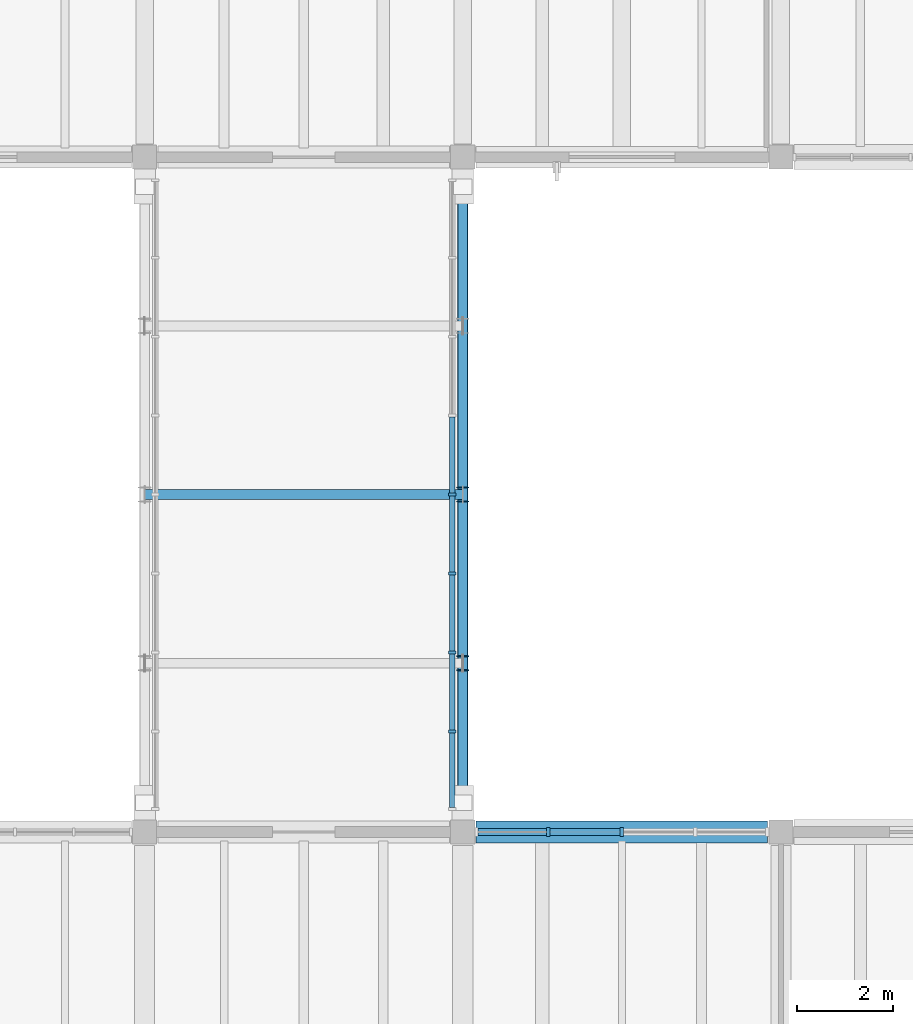
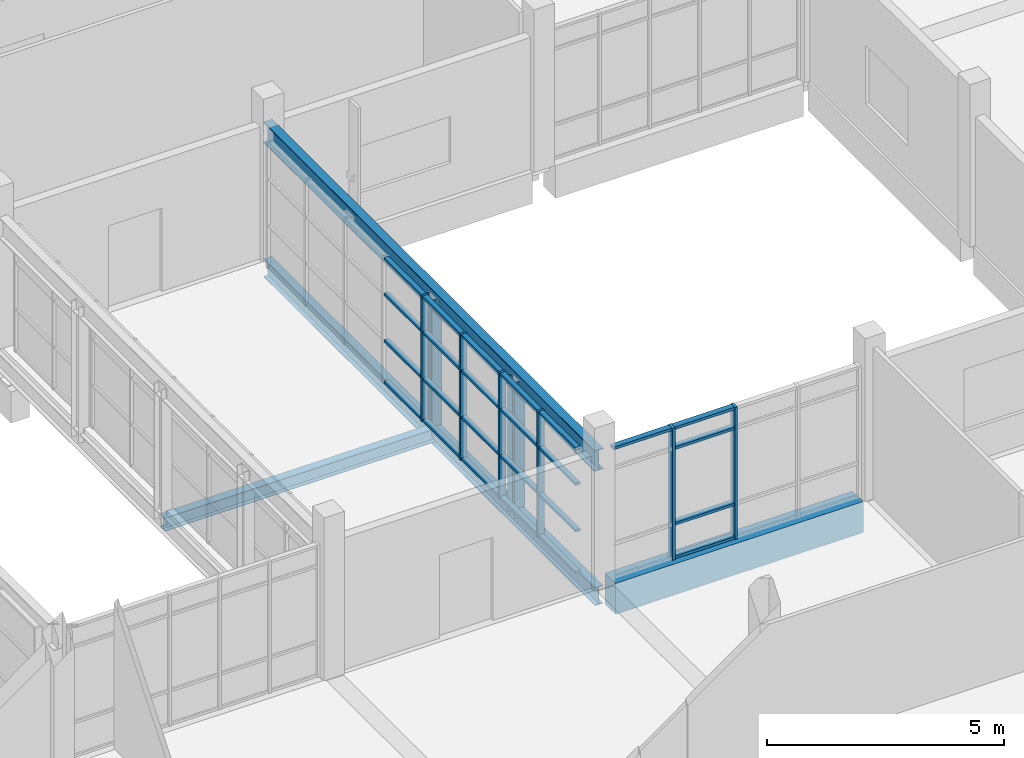
# One storey, part 20 of 65: 35 members, 2 beams, 2 elements without a shape of their own.
"""IFC4 building model written with IfcOpenShell, lengths in metres."""

from ifc_helpers import new_model, si_unit, direction, frame, origin, origin_2d, place, context, subcontext, project, spatial, rectangle, i_section, extrude, material, material_profile, profile_set, type_object, element, aggregate, save


model = new_model("IFC4")

# Units and contexts
model_context = context("Model", 3, precision=1e-05, world=origin(), true_north=direction((0.0, 1.0)))
body_context = subcontext(model_context, "Body", "Model", "MODEL_VIEW")
ifc_project = project(units=[si_unit("LENGTHUNIT", "METRE"), si_unit("AREAUNIT", "SQUARE_METRE"), si_unit("VOLUMEUNIT", "CUBIC_METRE"), si_unit("PLANEANGLEUNIT", "RADIAN"), si_unit("MASSUNIT", "GRAM", prefix="KILO")], contexts=[model_context])

# Site, building, storey
site_placement = place(None, origin())
site = spatial("IfcSite", under=ifc_project, at=site_placement, CompositionType="ELEMENT")
building_placement = place(site_placement, origin())
building = spatial("IfcBuilding", under=site, at=building_placement, Name="Ciguamira Faculty of Natural Sciences", CompositionType="ELEMENT")
storey_placement = place(building_placement, frame((0.0, 0.0, 12.60009765625)))
storey = spatial("IfcBuildingStorey", under=building, at=storey_placement, Name="L03", CompositionType="ELEMENT", Elevation=12.60009765625)

# Curtain wall, members
ifc_material_1 = material(Name="Anodized aluminium curtain wall", Category="aluminium")
curtain_wall_type_1 = type_object("IfcCurtainWallType", Name="CurtainWall_CW-01", PredefinedType="USERDEFINED", material=ifc_material_1)
curtain_wall_1_placement = place(storey_placement, origin())
curtain_wall_1 = element("IfcCurtainWall", 1, at=curtain_wall_1_placement, inside=storey, type_object=curtain_wall_type_1, Name="Link bridge BR-4 glazed curtain wall E", ObjectType="UNITISED CURTAIN WALL", PredefinedType="USERDEFINED")
ifc_material_2 = material(Name="Anodized aluminium mullion", Category="aluminium")
ifc_material_profile_1 = material_profile(ifc_material_2, rectangle(XDim=0.06005859375, YDim=0.159912109375, at=origin_2d()), Name="ALU-MUL-60X160")
ifc_profile_set_1 = profile_set([ifc_material_profile_1], Name="Anodized aluminium mullion")
member_type_1 = type_object("IfcMemberType", Name="CWMullion_CWM-01", PredefinedType="MULLION", material=ifc_profile_set_1)
member_1_placement = place(storey_placement, frame((96.679931640625, 61.08740234375, 0.0), z_axis=(0.0, 0.0, 1.0), x_axis=(0.0, 1.0, 0.0)))
member_1 = element("IfcMember", 2, at=member_1_placement, type_object=member_type_1, Name="CW-01 mullion 2", PredefinedType="MULLION", context=body_context, shape_type="SweptSolid", body=[
    extrude(rectangle(XDim=0.06005859375, YDim=0.159912109375, at=origin_2d()), origin(), (0.0, 0.0, 1.0), 3.25),
])
member_2_placement = place(storey_placement, frame((96.679931640625, 62.72509765625, 0.0), z_axis=(0.0, 0.0, 1.0), x_axis=(0.0, 1.0, 0.0)))
member_2 = element("IfcMember", 3, at=member_2_placement, type_object=member_type_1, Name="CW-01 mullion 3", PredefinedType="MULLION", context=body_context, shape_type="SweptSolid", body=[
    extrude(rectangle(XDim=0.06005859375, YDim=0.159912109375, at=origin_2d()), origin(), (0.0, 0.0, 1.0), 3.25),
])
member_3_placement = place(storey_placement, frame((96.679931640625, 64.362548828125, 0.0), z_axis=(0.0, 0.0, 1.0), x_axis=(0.0, 1.0, 0.0)))
member_3 = element("IfcMember", 4, at=member_3_placement, type_object=member_type_1, Name="CW-01 mullion 4", PredefinedType="MULLION", context=body_context, shape_type="SweptSolid", body=[
    extrude(rectangle(XDim=0.06005859375, YDim=0.159912109375, at=origin_2d()), origin(), (0.0, 0.0, 1.0), 3.25),
])
member_4_placement = place(storey_placement, frame((96.679931640625, 66.0, 0.0), z_axis=(0.0, 0.0, 1.0), x_axis=(0.0, 1.0, 0.0)))
member_4 = element("IfcMember", 5, at=member_4_placement, type_object=member_type_1, Name="CW-01 mullion 5", PredefinedType="MULLION", context=body_context, shape_type="SweptSolid", body=[
    extrude(rectangle(XDim=0.06005859375, YDim=0.159912109375, at=origin_2d()), origin(), (0.0, 0.0, 1.0), 3.25),
])

curtain_wall_type_2 = type_object("IfcCurtainWallType", Name="CurtainWall_CW-08", PredefinedType="USERDEFINED", material=ifc_material_1)
curtain_wall_2_placement = place(storey_placement, origin())
curtain_wall_2 = element("IfcCurtainWall", 6, at=curtain_wall_2_placement, inside=storey, type_object=curtain_wall_type_2, Name="L03 unitised curtain wall 0092", ObjectType="UNITISED CURTAIN WALL", PredefinedType="USERDEFINED")
ifc_material_profile_2 = material_profile(ifc_material_2, rectangle(XDim=0.070068359375, YDim=0.179931640625, at=origin_2d()), Name="ALU-MUL-70X180")
ifc_profile_set_2 = profile_set([ifc_material_profile_2], Name="Anodized aluminium mullion")
member_type_2 = type_object("IfcMemberType", Name="CWMullion_CWM-02", PredefinedType="MULLION", material=ifc_profile_set_2)
member_5_placement = place(storey_placement, frame((98.675048828125, 59.0, 0.0), z_axis=(0.0, 0.0, 1.0), x_axis=(1.0, 0.0, 0.0)))
member_5 = element("IfcMember", 7, at=member_5_placement, type_object=member_type_2, Name="CW-08 mullion 2", PredefinedType="MULLION", context=body_context, shape_type="SweptSolid", body=[
    extrude(rectangle(XDim=0.070068359375, YDim=0.179931640625, at=origin_2d()), origin(), (0.0, 0.0, 1.0), 3.40478515625),
])
member_6_placement = place(storey_placement, frame((100.199951171875, 59.0, 0.0), z_axis=(0.0, 0.0, 1.0), x_axis=(1.0, 0.0, 0.0)))
member_6 = element("IfcMember", 8, at=member_6_placement, type_object=member_type_2, Name="CW-08 mullion 3", PredefinedType="MULLION", context=body_context, shape_type="SweptSolid", body=[
    extrude(rectangle(XDim=0.070068359375, YDim=0.179931640625, at=origin_2d()), origin(), (0.0, 0.0, 1.0), 3.40478515625),
])

# Member
ifc_material_3 = material(Name="Anodized aluminium transom", Category="aluminium")
ifc_material_profile_3 = material_profile(ifc_material_3, rectangle(XDim=0.06005859375, YDim=0.1201171875, at=origin_2d()), Name="ALU-TRN-60X120")
ifc_profile_set_3 = profile_set([ifc_material_profile_3], Name="Anodized aluminium transom")
member_type_3 = type_object("IfcMemberType", Name="CWTransom_CWT-01", PredefinedType="USERDEFINED", material=ifc_profile_set_3)
member_7_placement = place(storey_placement, frame((96.679931640625, 59.510009765625, 0.02978515625), z_axis=(0.0, 1.0, 0.0), x_axis=(0.0, 0.0, 1.0)))
member_7 = element("IfcMember", 9, at=member_7_placement, type_object=member_type_3, Name="CW-01 transom 1.1", ObjectType="TRANSOM", PredefinedType="USERDEFINED", context=body_context, shape_type="SweptSolid", body=[
    extrude(rectangle(XDim=0.06005859375, YDim=0.1201171875, at=origin_2d()), origin(), (0.0, 0.0, 1.0), 1.547607421875),
])

member_8_placement = place(storey_placement, frame((96.679931640625, 59.510009765625, 1.099853515625), z_axis=(0.0, 1.0, 0.0), x_axis=(0.0, 0.0, 1.0)))
member_8 = element("IfcMember", 10, at=member_8_placement, type_object=member_type_3, Name="CW-01 transom 1.2", ObjectType="TRANSOM", PredefinedType="USERDEFINED", context=body_context, shape_type="SweptSolid", body=[
    extrude(rectangle(XDim=0.06005859375, YDim=0.1201171875, at=origin_2d()), origin(), (0.0, 0.0, 1.0), 1.547607421875),
])

member_9_placement = place(storey_placement, frame((96.679931640625, 59.510009765625, 2.2998046875), z_axis=(0.0, 1.0, 0.0), x_axis=(0.0, 0.0, 1.0)))
member_9 = element("IfcMember", 11, at=member_9_placement, type_object=member_type_3, Name="CW-01 transom 1.3", ObjectType="TRANSOM", PredefinedType="USERDEFINED", context=body_context, shape_type="SweptSolid", body=[
    extrude(rectangle(XDim=0.06005859375, YDim=0.1201171875, at=origin_2d()), origin(), (0.0, 0.0, 1.0), 1.547607421875),
])

member_10_placement = place(storey_placement, frame((96.679931640625, 59.510009765625, 3.219970703125), z_axis=(0.0, 1.0, 0.0), x_axis=(0.0, 0.0, 1.0)))
member_10 = element("IfcMember", 12, at=member_10_placement, type_object=member_type_3, Name="CW-01 transom 1.4", ObjectType="TRANSOM", PredefinedType="USERDEFINED", context=body_context, shape_type="SweptSolid", body=[
    extrude(rectangle(XDim=0.06005859375, YDim=0.1201171875, at=origin_2d()), origin(), (0.0, 0.0, 1.0), 1.547607421875),
])

member_11_placement = place(storey_placement, frame((96.679931640625, 61.117431640625, 0.02978515625), z_axis=(0.0, 1.0, 0.0), x_axis=(0.0, 0.0, 1.0)))
member_11 = element("IfcMember", 13, at=member_11_placement, type_object=member_type_3, Name="CW-01 transom 2.1", ObjectType="TRANSOM", PredefinedType="USERDEFINED", context=body_context, shape_type="SweptSolid", body=[
    extrude(rectangle(XDim=0.06005859375, YDim=0.1201171875, at=origin_2d()), origin(), (0.0, 0.0, 1.0), 1.57763671875),
])

member_12_placement = place(storey_placement, frame((96.679931640625, 61.117431640625, 1.099853515625), z_axis=(0.0, 1.0, 0.0), x_axis=(0.0, 0.0, 1.0)))
member_12 = element("IfcMember", 14, at=member_12_placement, type_object=member_type_3, Name="CW-01 transom 2.2", ObjectType="TRANSOM", PredefinedType="USERDEFINED", context=body_context, shape_type="SweptSolid", body=[
    extrude(rectangle(XDim=0.06005859375, YDim=0.1201171875, at=origin_2d()), origin(), (0.0, 0.0, 1.0), 1.57763671875),
])

member_13_placement = place(storey_placement, frame((96.679931640625, 61.117431640625, 2.2998046875), z_axis=(0.0, 1.0, 0.0), x_axis=(0.0, 0.0, 1.0)))
member_13 = element("IfcMember", 15, at=member_13_placement, type_object=member_type_3, Name="CW-01 transom 2.3", ObjectType="TRANSOM", PredefinedType="USERDEFINED", context=body_context, shape_type="SweptSolid", body=[
    extrude(rectangle(XDim=0.06005859375, YDim=0.1201171875, at=origin_2d()), origin(), (0.0, 0.0, 1.0), 1.57763671875),
])

member_14_placement = place(storey_placement, frame((96.679931640625, 61.117431640625, 3.219970703125), z_axis=(0.0, 1.0, 0.0), x_axis=(0.0, 0.0, 1.0)))
member_14 = element("IfcMember", 16, at=member_14_placement, type_object=member_type_3, Name="CW-01 transom 2.4", ObjectType="TRANSOM", PredefinedType="USERDEFINED", context=body_context, shape_type="SweptSolid", body=[
    extrude(rectangle(XDim=0.06005859375, YDim=0.1201171875, at=origin_2d()), origin(), (0.0, 0.0, 1.0), 1.57763671875),
])

member_15_placement = place(storey_placement, frame((96.679931640625, 62.7548828125, 0.02978515625), z_axis=(0.0, 1.0, 0.0), x_axis=(0.0, 0.0, 1.0)))
member_15 = element("IfcMember", 17, at=member_15_placement, type_object=member_type_3, Name="CW-01 transom 3.1", ObjectType="TRANSOM", PredefinedType="USERDEFINED", context=body_context, shape_type="SweptSolid", body=[
    extrude(rectangle(XDim=0.06005859375, YDim=0.1201171875, at=origin_2d()), origin(), (0.0, 0.0, 1.0), 1.57763671875),
])

member_16_placement = place(storey_placement, frame((96.679931640625, 62.7548828125, 1.099853515625), z_axis=(0.0, 1.0, 0.0), x_axis=(0.0, 0.0, 1.0)))
member_16 = element("IfcMember", 18, at=member_16_placement, type_object=member_type_3, Name="CW-01 transom 3.2", ObjectType="TRANSOM", PredefinedType="USERDEFINED", context=body_context, shape_type="SweptSolid", body=[
    extrude(rectangle(XDim=0.06005859375, YDim=0.1201171875, at=origin_2d()), origin(), (0.0, 0.0, 1.0), 1.57763671875),
])

member_17_placement = place(storey_placement, frame((96.679931640625, 62.7548828125, 2.2998046875), z_axis=(0.0, 1.0, 0.0), x_axis=(0.0, 0.0, 1.0)))
member_17 = element("IfcMember", 19, at=member_17_placement, type_object=member_type_3, Name="CW-01 transom 3.3", ObjectType="TRANSOM", PredefinedType="USERDEFINED", context=body_context, shape_type="SweptSolid", body=[
    extrude(rectangle(XDim=0.06005859375, YDim=0.1201171875, at=origin_2d()), origin(), (0.0, 0.0, 1.0), 1.57763671875),
])

member_18_placement = place(storey_placement, frame((96.679931640625, 62.7548828125, 3.219970703125), z_axis=(0.0, 1.0, 0.0), x_axis=(0.0, 0.0, 1.0)))
member_18 = element("IfcMember", 20, at=member_18_placement, type_object=member_type_3, Name="CW-01 transom 3.4", ObjectType="TRANSOM", PredefinedType="USERDEFINED", context=body_context, shape_type="SweptSolid", body=[
    extrude(rectangle(XDim=0.06005859375, YDim=0.1201171875, at=origin_2d()), origin(), (0.0, 0.0, 1.0), 1.57763671875),
])

member_19_placement = place(storey_placement, frame((96.679931640625, 64.392578125, 0.02978515625), z_axis=(0.0, 1.0, 0.0), x_axis=(0.0, 0.0, 1.0)))
member_19 = element("IfcMember", 21, at=member_19_placement, type_object=member_type_3, Name="CW-01 transom 4.1", ObjectType="TRANSOM", PredefinedType="USERDEFINED", context=body_context, shape_type="SweptSolid", body=[
    extrude(rectangle(XDim=0.06005859375, YDim=0.1201171875, at=origin_2d()), origin(), (0.0, 0.0, 1.0), 1.577392578125),
])

member_20_placement = place(storey_placement, frame((96.679931640625, 64.392578125, 1.099853515625), z_axis=(0.0, 1.0, 0.0), x_axis=(0.0, 0.0, 1.0)))
member_20 = element("IfcMember", 22, at=member_20_placement, type_object=member_type_3, Name="CW-01 transom 4.2", ObjectType="TRANSOM", PredefinedType="USERDEFINED", context=body_context, shape_type="SweptSolid", body=[
    extrude(rectangle(XDim=0.06005859375, YDim=0.1201171875, at=origin_2d()), origin(), (0.0, 0.0, 1.0), 1.577392578125),
])

member_21_placement = place(storey_placement, frame((96.679931640625, 64.392578125, 2.2998046875), z_axis=(0.0, 1.0, 0.0), x_axis=(0.0, 0.0, 1.0)))
member_21 = element("IfcMember", 23, at=member_21_placement, type_object=member_type_3, Name="CW-01 transom 4.3", ObjectType="TRANSOM", PredefinedType="USERDEFINED", context=body_context, shape_type="SweptSolid", body=[
    extrude(rectangle(XDim=0.06005859375, YDim=0.1201171875, at=origin_2d()), origin(), (0.0, 0.0, 1.0), 1.577392578125),
])

member_22_placement = place(storey_placement, frame((96.679931640625, 64.392578125, 3.219970703125), z_axis=(0.0, 1.0, 0.0), x_axis=(0.0, 0.0, 1.0)))
member_22 = element("IfcMember", 24, at=member_22_placement, type_object=member_type_3, Name="CW-01 transom 4.4", ObjectType="TRANSOM", PredefinedType="USERDEFINED", context=body_context, shape_type="SweptSolid", body=[
    extrude(rectangle(XDim=0.06005859375, YDim=0.1201171875, at=origin_2d()), origin(), (0.0, 0.0, 1.0), 1.577392578125),
])

member_23_placement = place(storey_placement, frame((96.679931640625, 66.030029296875, 0.02978515625), z_axis=(0.0, 1.0, 0.0), x_axis=(0.0, 0.0, 1.0)))
member_23 = element("IfcMember", 25, at=member_23_placement, type_object=member_type_3, Name="CW-01 transom 5.1", ObjectType="TRANSOM", PredefinedType="USERDEFINED", context=body_context, shape_type="SweptSolid", body=[
    extrude(rectangle(XDim=0.06005859375, YDim=0.1201171875, at=origin_2d()), origin(), (0.0, 0.0, 1.0), 1.577392578125),
])

member_24_placement = place(storey_placement, frame((96.679931640625, 66.030029296875, 1.099853515625), z_axis=(0.0, 1.0, 0.0), x_axis=(0.0, 0.0, 1.0)))
member_24 = element("IfcMember", 26, at=member_24_placement, type_object=member_type_3, Name="CW-01 transom 5.2", ObjectType="TRANSOM", PredefinedType="USERDEFINED", context=body_context, shape_type="SweptSolid", body=[
    extrude(rectangle(XDim=0.06005859375, YDim=0.1201171875, at=origin_2d()), origin(), (0.0, 0.0, 1.0), 1.577392578125),
])

member_25_placement = place(storey_placement, frame((96.679931640625, 66.030029296875, 2.2998046875), z_axis=(0.0, 1.0, 0.0), x_axis=(0.0, 0.0, 1.0)))
member_25 = element("IfcMember", 27, at=member_25_placement, type_object=member_type_3, Name="CW-01 transom 5.3", ObjectType="TRANSOM", PredefinedType="USERDEFINED", context=body_context, shape_type="SweptSolid", body=[
    extrude(rectangle(XDim=0.06005859375, YDim=0.1201171875, at=origin_2d()), origin(), (0.0, 0.0, 1.0), 1.577392578125),
])

member_26_placement = place(storey_placement, frame((96.679931640625, 66.030029296875, 3.219970703125), z_axis=(0.0, 1.0, 0.0), x_axis=(0.0, 0.0, 1.0)))
member_26 = element("IfcMember", 28, at=member_26_placement, type_object=member_type_3, Name="CW-01 transom 5.4", ObjectType="TRANSOM", PredefinedType="USERDEFINED", context=body_context, shape_type="SweptSolid", body=[
    extrude(rectangle(XDim=0.06005859375, YDim=0.1201171875, at=origin_2d()), origin(), (0.0, 0.0, 1.0), 1.577392578125),
])

aggregate(curtain_wall_1, [member_1, member_2, member_3, member_4, member_7, member_8, member_9, member_10, member_11, member_12, member_13, member_14, member_15, member_16, member_17, member_18, member_19, member_20, member_21, member_22, member_23, member_24, member_25, member_26])

ifc_material_profile_4 = material_profile(ifc_material_3, rectangle(XDim=0.070068359375, YDim=0.139892578125, at=origin_2d()), Name="ALU-TRN-70X140")
ifc_profile_set_4 = profile_set([ifc_material_profile_4], Name="Anodized aluminium transom")
member_type_4 = type_object("IfcMemberType", Name="CWTransom_CWT-02", PredefinedType="USERDEFINED", material=ifc_profile_set_4)
member_27_placement = place(storey_placement, frame((97.219970703125, 59.0, 3.369873046875), z_axis=(1.0, 0.0, 0.0), x_axis=(0.0, 0.0, 1.0)))
member_27 = element("IfcMember", 29, at=member_27_placement, type_object=member_type_4, Name="CW-08 transom 1.4", ObjectType="TRANSOM", PredefinedType="USERDEFINED", context=body_context, shape_type="SweptSolid", body=[
    extrude(rectangle(XDim=0.070068359375, YDim=0.139892578125, at=origin_2d()), origin(), (0.0, 0.0, 1.0), 1.419921875),
])

member_28_placement = place(storey_placement, frame((98.7099609375, 59.0, 0.034912109375), z_axis=(1.0, 0.0, 0.0), x_axis=(0.0, 0.0, 1.0)))
member_28 = element("IfcMember", 30, at=member_28_placement, type_object=member_type_4, Name="CW-08 transom 2.1", ObjectType="TRANSOM", PredefinedType="USERDEFINED", context=body_context, shape_type="SweptSolid", body=[
    extrude(rectangle(XDim=0.070068359375, YDim=0.139892578125, at=origin_2d()), origin(), (0.0, 0.0, 1.0), 1.455078125),
])

member_29_placement = place(storey_placement, frame((98.7099609375, 59.0, 0.89990234375), z_axis=(1.0, 0.0, 0.0), x_axis=(0.0, 0.0, 1.0)))
member_29 = element("IfcMember", 31, at=member_29_placement, type_object=member_type_4, Name="CW-08 transom 2.2", ObjectType="TRANSOM", PredefinedType="USERDEFINED", context=body_context, shape_type="SweptSolid", body=[
    extrude(rectangle(XDim=0.070068359375, YDim=0.139892578125, at=origin_2d()), origin(), (0.0, 0.0, 1.0), 1.455078125),
])

member_30_placement = place(storey_placement, frame((98.7099609375, 59.0, 2.85498046875), z_axis=(1.0, 0.0, 0.0), x_axis=(0.0, 0.0, 1.0)))
member_30 = element("IfcMember", 32, at=member_30_placement, type_object=member_type_4, Name="CW-08 transom 2.3", ObjectType="TRANSOM", PredefinedType="USERDEFINED", context=body_context, shape_type="SweptSolid", body=[
    extrude(rectangle(XDim=0.070068359375, YDim=0.139892578125, at=origin_2d()), origin(), (0.0, 0.0, 1.0), 1.455078125),
])

member_31_placement = place(storey_placement, frame((98.7099609375, 59.0, 3.369873046875), z_axis=(1.0, 0.0, 0.0), x_axis=(0.0, 0.0, 1.0)))
member_31 = element("IfcMember", 33, at=member_31_placement, type_object=member_type_4, Name="CW-08 transom 2.4", ObjectType="TRANSOM", PredefinedType="USERDEFINED", context=body_context, shape_type="SweptSolid", body=[
    extrude(rectangle(XDim=0.070068359375, YDim=0.139892578125, at=origin_2d()), origin(), (0.0, 0.0, 1.0), 1.455078125),
])

aggregate(curtain_wall_2, [member_5, member_6, member_27, member_28, member_29, member_30, member_31])

# Beams
ifc_material_4 = material(Name="Concrete C40/50", Category="concrete")
ifc_material_profile_5 = material_profile(ifc_material_4, rectangle(XDim=0.449951171875, YDim=0.800048828125, at=origin_2d()), Name="RC-BM-450X800")
ifc_profile_set_5 = profile_set([ifc_material_profile_5], Name="Concrete C40/50")
beam_type_1 = type_object("IfcBeamType", Name="RCBeam_BG-05_RC-BM-450X800", PredefinedType="BEAM", material=ifc_profile_set_5)
beam_1_placement = place(storey_placement, frame((97.175048828125, 59.0, -0.400146484375), z_axis=(1.0, 0.0, 0.0), x_axis=(0.0, 1.0, 0.0)))
element("IfcBeam", 34, at=beam_1_placement, inside=storey, type_object=beam_type_1, Name="L03 RC girder EW-1115", PredefinedType="BEAM", context=body_context, shape_type="SweptSolid", body=[
    extrude(rectangle(XDim=0.449951171875, YDim=0.800048828125, at=origin_2d()), origin(), (0.0, 0.0, 1.0), 6.050048828125),
])
ifc_material_5 = material(Name="Steel ASTM A992 Grade 50", Category="steel")
ifc_material_profile_6 = material_profile(ifc_material_5, i_section(OverallWidth=0.203125, OverallDepth=0.347900390625, WebThickness=0.0078125, FlangeThickness=0.013427734375, at=origin_2d()), Name="W14X43")
ifc_profile_set_6 = profile_set([ifc_material_profile_6], Name="Steel ASTM A992 Grade 50")
beam_type_2 = type_object("IfcBeamType", Name="SteelJoist_SJ-12_W14X43", PredefinedType="JOIST", material=ifc_profile_set_6)
beam_2_placement = place(storey_placement, frame((90.300048828125, 66.0, -0.39404296875), z_axis=(1.0, 0.0, 0.0), x_axis=(0.0, 1.0, 0.0)))
element("IfcBeam", 35, at=beam_2_placement, inside=storey, type_object=beam_type_2, Name="Link bridge BR-4 floor crossbeam 2", PredefinedType="JOIST", context=body_context, shape_type="SweptSolid", body=[
    extrude(i_section(OverallWidth=0.203125, OverallDepth=0.347900390625, WebThickness=0.0078125, FlangeThickness=0.013427734375, at=origin_2d()), origin(), (0.0, 0.0, 1.0), 6.599853515625),
])

# Members
ifc_material_profile_7 = material_profile(ifc_material_5, i_section(OverallWidth=0.19287109375, OverallDepth=0.46728515625, WebThickness=0.011474609375, FlangeThickness=0.01904296875, at=origin_2d()), Name="W18X65")
ifc_profile_set_7 = profile_set([ifc_material_profile_7], Name="Steel ASTM A992 Grade 50")
member_type_5 = type_object("IfcMemberType", Name="SteelMember_TC-01_W18X65", PredefinedType="CHORD", material=ifc_profile_set_7)
member_32_placement = place(storey_placement, frame((96.89990234375, 59.0, -0.35009765625), z_axis=(0.0, 1.0, 0.0), x_axis=(-1.0, 0.0, 0.0)))
element("IfcMember", 36, at=member_32_placement, inside=storey, type_object=member_type_5, Name="Link bridge BR-4 bottom truss chord 2", PredefinedType="CHORD", context=body_context, shape_type="SweptSolid", body=[
    extrude(i_section(OverallWidth=0.19287109375, OverallDepth=0.46728515625, WebThickness=0.011474609375, FlangeThickness=0.01904296875, at=origin_2d()), origin(), (0.0, 0.0, 1.0), 14.0),
])
ifc_material_profile_8 = material_profile(ifc_material_5, i_section(OverallWidth=0.2099609375, OverallDepth=0.535888671875, WebThickness=0.010986328125, FlangeThickness=0.017333984375, at=origin_2d()), Name="W21X68")
ifc_profile_set_8 = profile_set([ifc_material_profile_8], Name="Steel ASTM A992 Grade 50")
member_type_6 = type_object("IfcMemberType", Name="SteelMember_TC-02_W21X68", PredefinedType="CHORD", material=ifc_profile_set_8)
member_33_placement = place(storey_placement, frame((96.89990234375, 59.0, 3.14990234375), z_axis=(0.0, 1.0, 0.0), x_axis=(-1.0, 0.0, 0.0)))
element("IfcMember", 37, at=member_33_placement, inside=storey, type_object=member_type_6, Name="Link bridge BR-4 top truss chord 2", PredefinedType="CHORD", context=body_context, shape_type="SweptSolid", body=[
    extrude(i_section(OverallWidth=0.2099609375, OverallDepth=0.535888671875, WebThickness=0.010986328125, FlangeThickness=0.017333984375, at=origin_2d()), origin(), (0.0, 0.0, 1.0), 14.0),
])
ifc_material_profile_9 = material_profile(ifc_material_5, i_section(OverallWidth=0.25390625, OverallDepth=0.307373046875, WebThickness=0.0087890625, FlangeThickness=0.0146484375, at=origin_2d()), Name="W12X53")
ifc_profile_set_9 = profile_set([ifc_material_profile_9], Name="Steel ASTM A992 Grade 50")
member_type_7 = type_object("IfcMemberType", Name="SteelMember_TS-02_W12X53", PredefinedType="STRUT", material=ifc_profile_set_9)
for number, where, z_axis, x_axis, name in (
    (38, (96.89990234375, 62.5, -0.35009765625), (0.0, 0.0, 1.0), (1.0, 0.0, 0.0), "Link bridge BR-4 truss vertical 2-2"),
    (39, (96.89990234375, 66.0, -0.35009765625), (0.0, 0.0, 1.0), (1.0, 0.0, 0.0), "Link bridge BR-4 truss vertical 2-3"),
):
    element("IfcMember", number, at=place(storey_placement, frame(where, z_axis=z_axis, x_axis=x_axis)), inside=storey, type_object=member_type_7, Name=name, PredefinedType="STRUT", context=body_context, shape_type="SweptSolid", body=[
        extrude(i_section(OverallWidth=0.25390625, OverallDepth=0.307373046875, WebThickness=0.0087890625, FlangeThickness=0.0146484375, at=origin_2d()), origin(), (0.0, 0.0, 1.0), 3.5),
    ])

save(model, "model.ifc")
